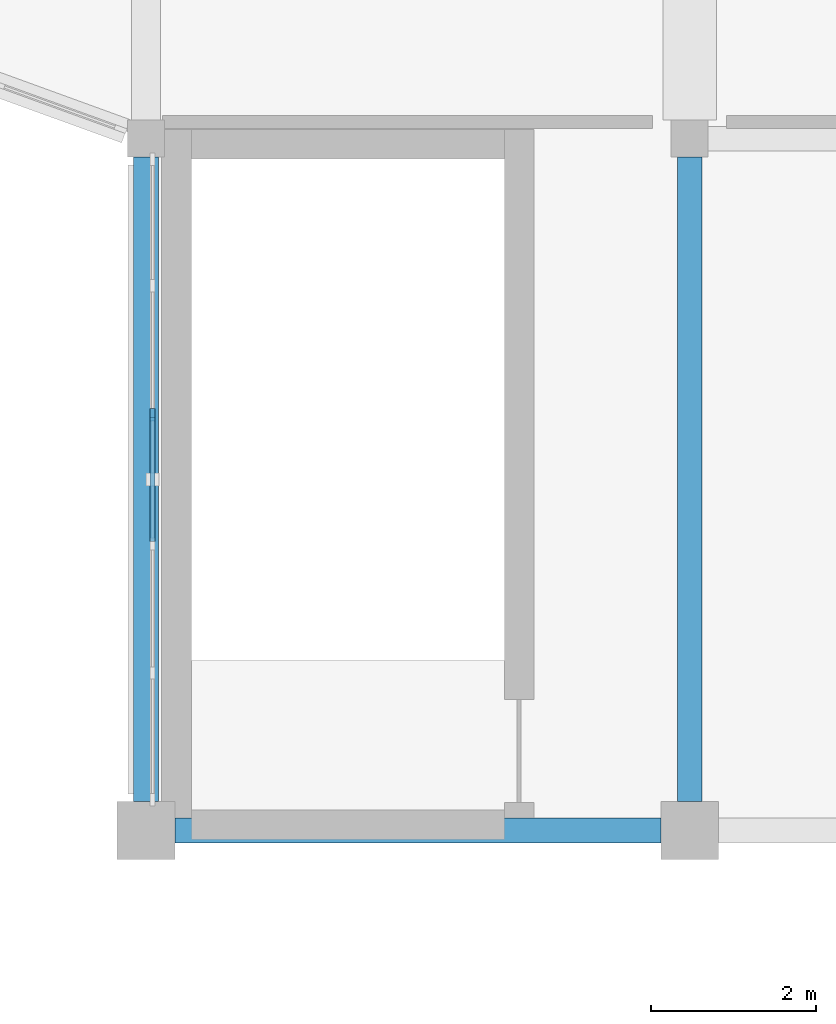
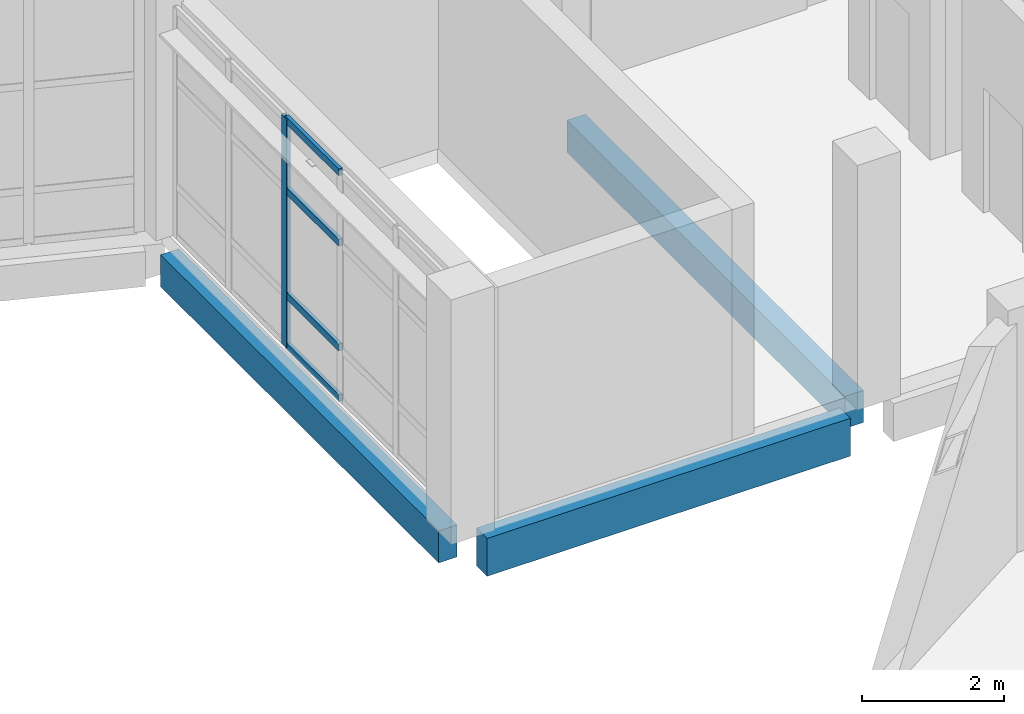
# One storey, part 29 of 78: 5 members, 3 beams, 1 element without a shape of its own.
"""IFC4 building model written with IfcOpenShell, lengths in metres."""

from ifc_helpers import new_model, si_unit, direction, frame, origin, origin_2d, place, context, subcontext, project, spatial, rectangle, extrude, material, material_profile, profile_set, type_object, element, aggregate, save


model = new_model("IFC4")

# Units and contexts
model_context = context("Model", 3, precision=1e-05, world=origin(), true_north=direction((0.0, 1.0)))
body_context = subcontext(model_context, "Body", "Model", "MODEL_VIEW")
ifc_project = project(units=[si_unit("LENGTHUNIT", "METRE"), si_unit("AREAUNIT", "SQUARE_METRE"), si_unit("VOLUMEUNIT", "CUBIC_METRE"), si_unit("PLANEANGLEUNIT", "RADIAN"), si_unit("MASSUNIT", "GRAM", prefix="KILO")], contexts=[model_context])

# Site, building, storey
site_placement = place(None, origin())
site = spatial("IfcSite", under=ifc_project, at=site_placement, CompositionType="ELEMENT")
building_placement = place(site_placement, origin())
building = spatial("IfcBuilding", under=site, at=building_placement, Name="Qaldarim Faculty of Natural and Applied Sciences", CompositionType="ELEMENT")
storey_placement = place(building_placement, frame((0.0, 0.0, 18.60009765625)))
storey = spatial("IfcBuildingStorey", under=building, at=storey_placement, Name="L04", CompositionType="ELEMENT", Elevation=18.60009765625)

# Beams
ifc_material_1 = material(Name="Concrete C40/50", Category="concrete")
ifc_material_profile_1 = material_profile(ifc_material_1, rectangle(XDim=0.300048828125, YDim=0.550048828125, at=origin_2d()), Name="RC-B300x550")
ifc_profile_set_1 = profile_set([ifc_material_profile_1], Name="Concrete C40/50")
beam_type_1 = type_object("IfcBeamType", Name="FloorBeam-RC300x550", PredefinedType="BEAM", material=ifc_profile_set_1)
for number, where, z_axis, x_axis, name in (
    (1, (151.800048828125, 59.14990234375, -0.53515625), (0.0, 1.0, 0.0), (-1.0, 0.0, 0.0), "Beam RC-B300x550 L03 X24/Y08-Y09"),
    (2, (158.39990234375, 59.14990234375, -0.53515625), (0.0, 1.0, 0.0), (-1.0, 0.0, 0.0), "Beam RC-B300x550 L03 X25/Y08-Y09"),
):
    element("IfcBeam", number, at=place(storey_placement, frame(where, z_axis=z_axis, x_axis=x_axis)), inside=storey, type_object=beam_type_1, Name=name, PredefinedType="BEAM", context=body_context, shape_type="SweptSolid", body=[
        extrude(rectangle(XDim=0.300048828125, YDim=0.550048828125, at=origin_2d()), origin(), (0.0, 0.0, 1.0), 7.8251953125),
    ])

# Curtain wall, member
ifc_material_2 = material(Name="Anodised aluminium AW-6063", Category="aluminium")
curtain_wall_type = type_object("IfcCurtainWallType", Name="CurtainWallSystem-M1600", PredefinedType="USERDEFINED", material=ifc_material_2)
curtain_wall_placement = place(storey_placement, origin())
curtain_wall = element("IfcCurtainWall", 3, at=curtain_wall_placement, inside=storey, type_object=curtain_wall_type, Name="Curtain wall CW-L04-W-X24Y08", ObjectType="UNITISED FACADE", PredefinedType="USERDEFINED")
ifc_material_profile_2 = material_profile(ifc_material_2, rectangle(XDim=0.06005859375, YDim=0.14990234375, at=origin_2d()), Name="ALU-M60x150")
ifc_profile_set_2 = profile_set([ifc_material_profile_2], Name="Anodised aluminium AW-6063")
member_type_1 = type_object("IfcMemberType", Name="Mullion-ALU60x150", PredefinedType="MULLION", material=ifc_profile_set_2)
member_1_placement = place(storey_placement, frame((151.8798828125, 63.845947265625, 0.0), z_axis=(0.0, 0.0, 1.0), x_axis=(1.0, 0.0, 0.0)))
member_1 = element("IfcMember", 4, at=member_1_placement, type_object=member_type_1, Name="Mullion 3 of CW-L04-W-X24Y08", PredefinedType="MULLION", context=body_context, shape_type="SweptSolid", body=[
    extrude(rectangle(XDim=0.06005859375, YDim=0.14990234375, at=origin_2d()), origin(), (0.0, 0.0, 1.0), 3.93994140625),
])

# Beam
ifc_material_profile_3 = material_profile(ifc_material_1, rectangle(XDim=0.300048828125, YDim=0.64990234375, at=origin_2d()), Name="RC-B300x650")
ifc_profile_set_3 = profile_set([ifc_material_profile_3], Name="Concrete C40/50")
beam_type_2 = type_object("IfcBeamType", Name="PrimaryBeam-RC300x650", PredefinedType="BEAM", material=ifc_profile_set_3)
beam_placement = place(storey_placement, frame((152.14990234375, 58.800048828125, -0.585205078125), z_axis=(1.0, 0.0, 0.0), x_axis=(0.0, 1.0, 0.0)))
element("IfcBeam", 5, at=beam_placement, inside=storey, type_object=beam_type_2, Name="Beam RC-B300x650 L03 X24-X25/Y08", PredefinedType="BEAM", context=body_context, shape_type="SweptSolid", body=[
    extrude(rectangle(XDim=0.300048828125, YDim=0.64990234375, at=origin_2d()), origin(), (0.0, 0.0, 1.0), 5.900146484375),
])

# Member
ifc_material_profile_4 = material_profile(ifc_material_2, rectangle(XDim=0.06005859375, YDim=0.1201171875, at=origin_2d()), Name="ALU-T60x120")
ifc_profile_set_4 = profile_set([ifc_material_profile_4], Name="Anodised aluminium AW-6063")
member_type_2 = type_object("IfcMemberType", Name="Transom-ALU60x120", PredefinedType="USERDEFINED", material=ifc_profile_set_4)
member_2_placement = place(storey_placement, frame((151.8798828125, 63.81591796875, 0.02978515625), z_axis=(0.0, -1.0, 0.0), x_axis=(1.0, 0.0, 0.0)))
member_2 = element("IfcMember", 6, at=member_2_placement, type_object=member_type_2, Name="Transom 3-1 of CW-L04-W-X24Y08", ObjectType="TRANSOM", PredefinedType="USERDEFINED", context=body_context, shape_type="SweptSolid", body=[
    extrude(rectangle(XDim=0.06005859375, YDim=0.1201171875, at=origin_2d()), origin(), (0.0, 0.0, 1.0), 1.5068359375),
])

member_3_placement = place(storey_placement, frame((151.8798828125, 63.81591796875, 0.89990234375), z_axis=(0.0, -1.0, 0.0), x_axis=(1.0, 0.0, 0.0)))
member_3 = element("IfcMember", 7, at=member_3_placement, type_object=member_type_2, Name="Transom 3-2 of CW-L04-W-X24Y08", ObjectType="TRANSOM", PredefinedType="USERDEFINED", context=body_context, shape_type="SweptSolid", body=[
    extrude(rectangle(XDim=0.06005859375, YDim=0.1201171875, at=origin_2d()), origin(), (0.0, 0.0, 1.0), 1.5068359375),
])

member_4_placement = place(storey_placement, frame((151.8798828125, 63.81591796875, 2.699951171875), z_axis=(0.0, -1.0, 0.0), x_axis=(1.0, 0.0, 0.0)))
member_4 = element("IfcMember", 8, at=member_4_placement, type_object=member_type_2, Name="Transom 3-3 of CW-L04-W-X24Y08", ObjectType="TRANSOM", PredefinedType="USERDEFINED", context=body_context, shape_type="SweptSolid", body=[
    extrude(rectangle(XDim=0.06005859375, YDim=0.1201171875, at=origin_2d()), origin(), (0.0, 0.0, 1.0), 1.5068359375),
])

member_5_placement = place(storey_placement, frame((151.8798828125, 63.81591796875, 3.909912109375), z_axis=(0.0, -1.0, 0.0), x_axis=(1.0, 0.0, 0.0)))
member_5 = element("IfcMember", 9, at=member_5_placement, type_object=member_type_2, Name="Transom 3-4 of CW-L04-W-X24Y08", ObjectType="TRANSOM", PredefinedType="USERDEFINED", context=body_context, shape_type="SweptSolid", body=[
    extrude(rectangle(XDim=0.06005859375, YDim=0.1201171875, at=origin_2d()), origin(), (0.0, 0.0, 1.0), 1.5068359375),
])

aggregate(curtain_wall, [member_1, member_2, member_3, member_4, member_5])

save(model, "model.ifc")
